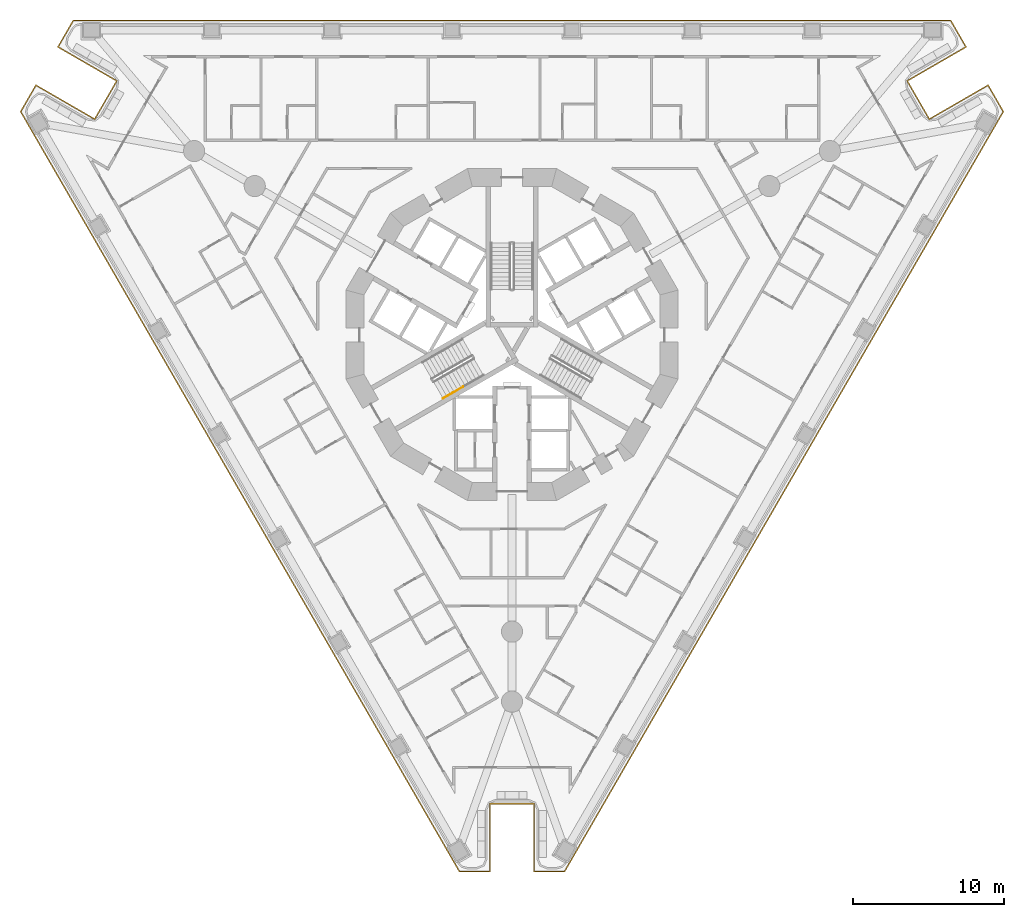
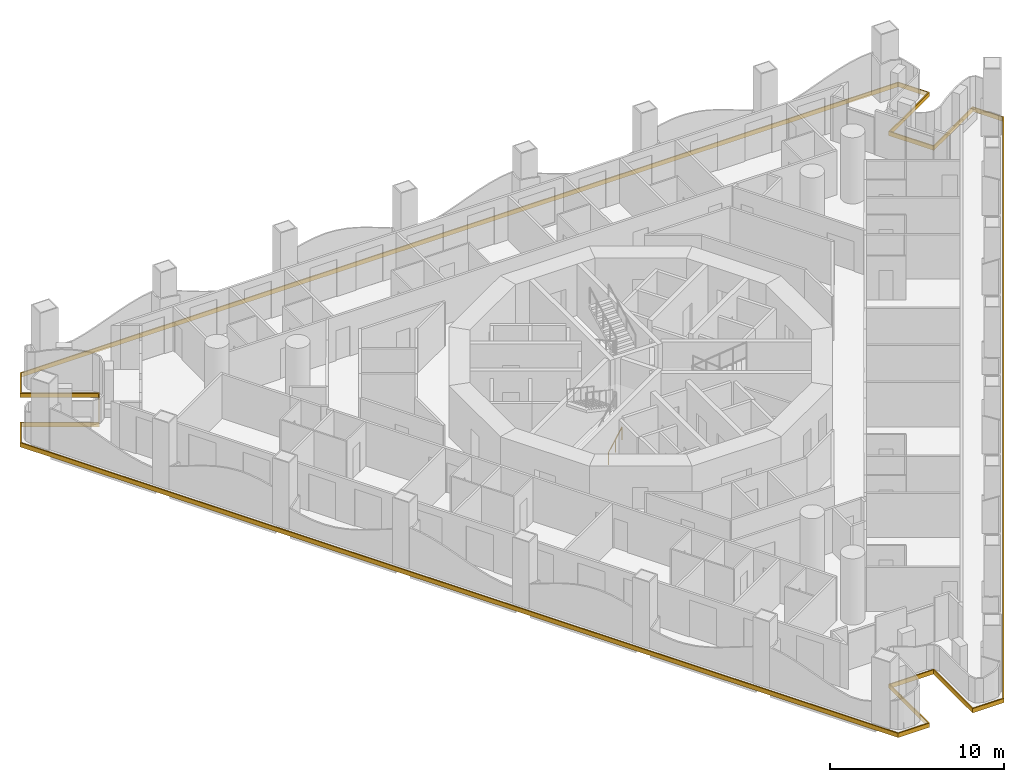
# One storey, part 12 of 19: 1 covering, 1 railing.
"""IFC4 building model written with IfcOpenShell, lengths in metres."""

from ifc_helpers import new_model, si_unit, direction, frame, origin, origin_2d, place, context, subcontext, project, spatial, polyline, circle, outline, extrude, material, layer, layer_set, type_object, element, save


model = new_model("IFC4")

# Units and contexts
model_context = context("Model", 3, precision=1e-05, world=origin(), true_north=direction((0.0, 1.0)))
body_context = subcontext(model_context, "Body", "Model", "MODEL_VIEW")
ifc_project = project(units=[si_unit("LENGTHUNIT", "METRE"), si_unit("AREAUNIT", "SQUARE_METRE"), si_unit("VOLUMEUNIT", "CUBIC_METRE"), si_unit("PLANEANGLEUNIT", "RADIAN"), si_unit("MASSUNIT", "GRAM", prefix="KILO")], contexts=[model_context])

# Site, building, storey
site_placement = place(None, origin())
site = spatial("IfcSite", under=ifc_project, at=site_placement, CompositionType="ELEMENT")
building_placement = place(site_placement, origin())
building = spatial("IfcBuilding", under=site, at=building_placement, Name="Trine Commons Tower", CompositionType="ELEMENT")
storey_placement = place(building_placement, frame((0.0, 0.0, 42.300048828125)))
storey = spatial("IfcBuildingStorey", under=building, at=storey_placement, Name="L09", CompositionType="ELEMENT", Elevation=42.300048828125)

# Covering
ifc_material_1 = material(Name="Limestone, honed", Category="masonry")
ifc_layer = layer(ifc_material_1, 0.074951171875)
ifc_layer_set = layer_set([ifc_layer], Name="Limestone, honed")
covering_type = type_object("IfcCoveringType", Name="Limestone spandrel panel 75", PredefinedType="CLADDING", material=ifc_layer_set)
covering_placement = place(storey_placement, frame((0.0, 0.0, -0.300048828125)))
element("IfcCovering", 1, at=covering_placement, inside=storey, type_object=covering_type, Name="Limestone spandrel panel 1-01", PredefinedType="CLADDING", context=body_context, shape_type="SweptSolid", body=[
    extrude(outline(polyline([(81.425048828125, 31.355712890625), (81.425048828125, 26.855712890625), (83.50732421875, 26.855712890625), (112.62255859375, 77.28466796875), (111.581298828125, 79.087890625), (107.68408203125, 76.837890625), (106.25927734375, 79.30615234375), (110.15625, 81.55615234375), (109.114990234375, 83.359619140625), (50.885009765625, 83.359619140625), (49.84375, 81.55615234375), (53.74072265625, 79.30615234375), (52.31591796875, 76.837890625), (48.418701171875, 79.087890625), (47.37744140625, 77.28466796875), (76.49267578125, 26.855712890625), (78.574951171875, 26.855712890625), (78.574951171875, 31.355712890625), (81.425048828125, 31.355712890625)]), holes=[polyline([(111.5537109375, 78.985595703125), (112.535888671875, 77.28466796875), (83.464111328125, 26.930908203125), (81.5, 26.930908203125), (81.5, 31.430908203125), (78.5, 31.430908203125), (78.5, 26.930908203125), (76.535888671875, 26.930908203125), (47.464111328125, 77.28466796875), (48.4462890625, 78.985595703125), (52.34326171875, 76.735595703125), (53.84326171875, 79.33349609375), (49.9462890625, 81.58349609375), (50.92822265625, 83.28466796875), (109.07177734375, 83.28466796875), (110.0537109375, 81.58349609375), (106.15673828125, 79.33349609375), (107.65673828125, 76.735595703125), (111.5537109375, 78.985595703125)])]), origin(), (0.0, 0.0, 1.0), 0.300048828125),
])

# Railing
ifc_material_2 = material(Name="Stainless steel handrail", Category="steel")
railing_type = type_object("IfcRailingType", Name="Stair handrail, steel 900", PredefinedType="HANDRAIL", material=ifc_material_2)
railing_placement = place(storey_placement, frame((75.43017578125, 58.27392578125, 0.14990234375)))
element("IfcRailing", 2, at=railing_placement, inside=storey, type_object=railing_type, Name="L09 ST2A stair handrail 1", PredefinedType="HANDRAIL", context=body_context, shape_type="SweptSolid", body=[
    extrude(circle(Radius=0.02099609375, at=origin_2d()), frame((0.0, 0.0, 0.87890625), z_axis=(0.76340495495, 0.440743040072, 0.472184759798), x_axis=(-0.499992328818, 0.866029832698, 0.0)), (0.0, 0.0, 1.0), 1.7470703125),
    extrude(circle(Radius=0.01513671875, at=origin_2d()), origin(), (0.0, 0.0, 1.0), 0.85791015625),
    extrude(circle(Radius=0.01513671875, at=origin_2d()), frame((0.6669921875, 0.385009765625, 0.41259765625)), (0.0, 0.0, 1.0), 0.85791015625),
    extrude(circle(Radius=0.01513671875, at=origin_2d()), frame((1.333740234375, 0.77001953125, 0.824951171875)), (0.0, 0.0, 1.0), 0.85791015625),
])

save(model, "model.ifc")
